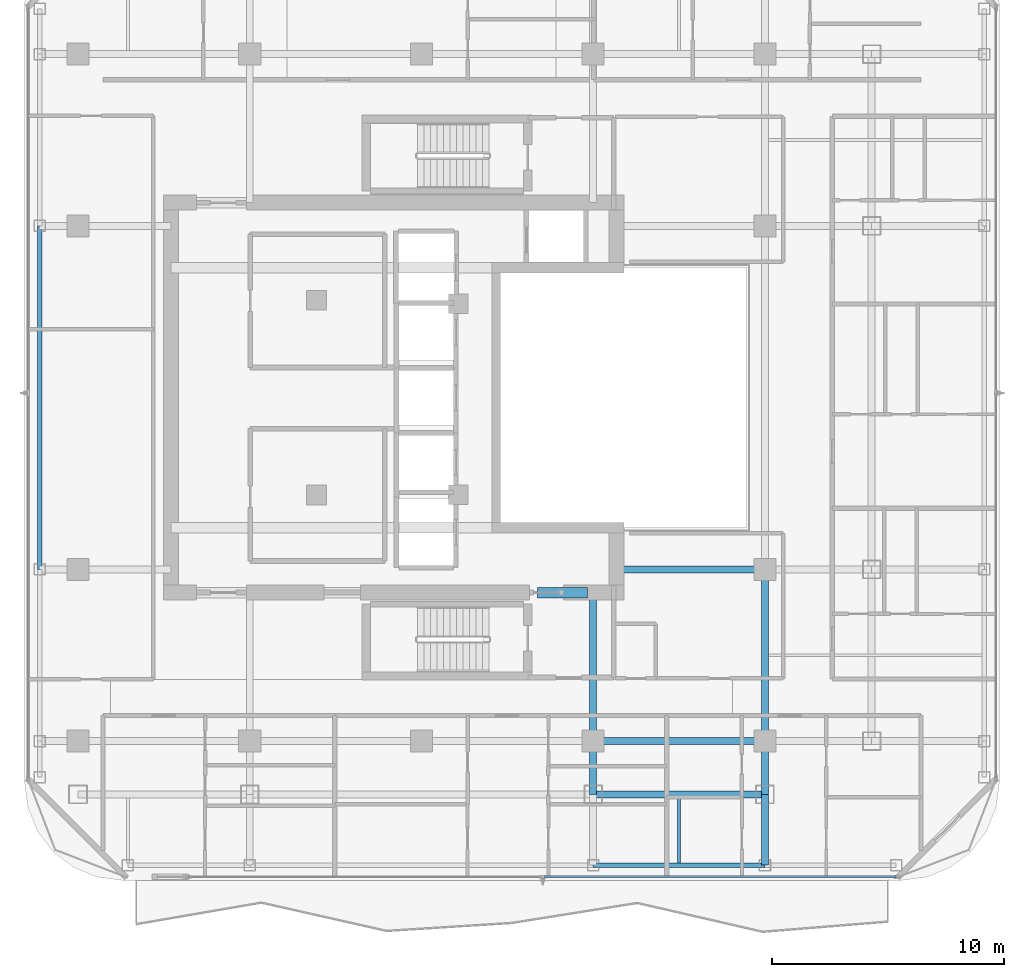
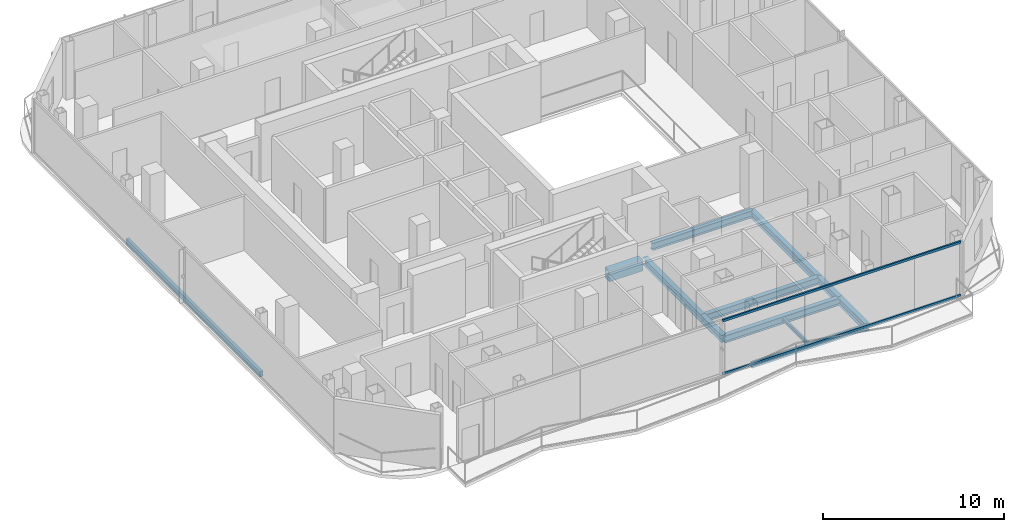
# One storey, part 5 of 26: 12 beams, 2 members, 1 element without a shape of its own.
"""IFC4 building model written with IfcOpenShell, lengths in metres."""

from ifc_helpers import new_model, si_unit, direction, frame, origin, origin_2d, place, context, subcontext, project, spatial, rectangle, hollow_rectangle, i_section, extrude, material, layer, layer_set, material_profile, profile_set, type_object, element, aggregate, save


model = new_model("IFC4")

# Units and contexts
model_context = context("Model", 3, precision=1e-05, world=origin(), true_north=direction((0.0, 1.0)))
body_context = subcontext(model_context, "Body", "Model", "MODEL_VIEW")
ifc_project = project(units=[si_unit("LENGTHUNIT", "METRE"), si_unit("AREAUNIT", "SQUARE_METRE"), si_unit("VOLUMEUNIT", "CUBIC_METRE"), si_unit("PLANEANGLEUNIT", "RADIAN"), si_unit("MASSUNIT", "GRAM", prefix="KILO")], contexts=[model_context])

# Site, building, storey
site_placement = place(None, origin())
site = spatial("IfcSite", under=ifc_project, at=site_placement, CompositionType="ELEMENT")
building_placement = place(site_placement, origin())
building = spatial("IfcBuilding", under=site, at=building_placement, Name="Khorvyn Point Tower", CompositionType="ELEMENT")
storey_placement = place(building_placement, frame((0.0, 0.0, 262.5)))
storey = spatial("IfcBuildingStorey", under=building, at=storey_placement, Name="L64", CompositionType="ELEMENT", Elevation=262.5)

# Curtain wall, members
ifc_material_1 = material(Name="Anodised aluminium 6063-T6 and laminated Low-E glass", Category="aluminium")
ifc_layer = layer(ifc_material_1, 0.18994140625)
ifc_layer_set = layer_set([ifc_layer], Name="Stick-Built High-Wind Curtain Wall CW-SYS-04")
curtain_wall_type = type_object("IfcCurtainWallType", Name="Stick-Built High-Wind Curtain Wall CW-SYS-04", PredefinedType="NOTDEFINED", material=ifc_layer_set)
curtain_wall_placement = place(storey_placement, origin())
curtain_wall = element("IfcCurtainWall", 1, at=curtain_wall_placement, inside=storey, type_object=curtain_wall_type, Name="Curtain Wall", PredefinedType="NOTDEFINED")
ifc_material_2 = material(Name="Anodised aluminium 6063-T6", Category="aluminium")
ifc_material_profile_1 = material_profile(ifc_material_2, hollow_rectangle(XDim=0.10009765625, YDim=0.159912109375, WallThickness=0.00439453125, at=origin_2d()))
ifc_profile_set_1 = profile_set([ifc_material_profile_1], Name="Anodised aluminium 6063-T6 ALU-TRN-100x160")
member_type = type_object("IfcMemberType", Name="Anodised Aluminium 6063-T6 Transom ALU-TRN-100x160", PredefinedType="USERDEFINED", material=ifc_profile_set_1)
member_1_placement = place(storey_placement, frame((20.449951171875, -20.64990234375, 0.050048828125), z_axis=(-1.0, 0.0, 0.0), x_axis=(0.0, -1.0, 0.0)))
member_1 = element("IfcMember", 2, at=member_1_placement, type_object=member_type, Name="Transom", ObjectType="TRANSOM", PredefinedType="USERDEFINED", context=body_context, shape_type="SweptSolid", body=[
    extrude(hollow_rectangle(XDim=0.10009765625, YDim=0.159912109375, WallThickness=0.00439453125, at=origin_2d()), origin(), (0.0, 0.0, 1.0), 15.179443359375),
])
member_2_placement = place(storey_placement, frame((20.449951171875, -20.64990234375, 3.6298828125), z_axis=(-1.0, 0.0, 0.0), x_axis=(0.0, -1.0, 0.0)))
member_2 = element("IfcMember", 3, at=member_2_placement, type_object=member_type, Name="Transom", ObjectType="TRANSOM", PredefinedType="USERDEFINED", context=body_context, shape_type="SweptSolid", body=[
    extrude(hollow_rectangle(XDim=0.10009765625, YDim=0.159912109375, WallThickness=0.00439453125, at=origin_2d()), origin(), (0.0, 0.0, 1.0), 15.179443359375),
])
aggregate(curtain_wall, [member_1, member_2])

# Beams
ifc_material_3 = material(Name="Concrete C40/50", Category="concrete")
ifc_material_profile_2 = material_profile(ifc_material_3, rectangle(XDim=0.449951171875, YDim=0.75, at=origin_2d()))
ifc_profile_set_2 = profile_set([ifc_material_profile_2], Name="Concrete C40/50 RC450x750")
beam_type_1 = type_object("IfcBeamType", Name="Concrete C40/50 Beam RC450x750", PredefinedType="BEAM", material=ifc_profile_set_2)
beam_1_placement = place(storey_placement, frame((5.0, -8.39990234375, -0.594970703125), z_axis=(1.0, 0.0, 0.0), x_axis=(0.0, 1.0, 0.0)))
element("IfcBeam", 4, at=beam_1_placement, inside=storey, type_object=beam_type_1, Name="L64 Core Southeast Portal Coupling Beam", PredefinedType="BEAM", context=body_context, shape_type="SweptSolid", body=[
    extrude(rectangle(XDim=0.449951171875, YDim=0.75, at=origin_2d()), origin(), (0.0, 0.0, 1.0), 2.14990234375),
])
ifc_material_4 = material(Name="Steel S355", Category="steel")
ifc_material_profile_3 = material_profile(ifc_material_4, i_section(OverallWidth=0.125, OverallDepth=0.25, WebThickness=0.006103515625, FlangeThickness=0.009033203125, at=origin_2d()))
ifc_profile_set_3 = profile_set([ifc_material_profile_3], Name="Steel S355 H250x125x6x9")
beam_type_2 = type_object("IfcBeamType", Name="Steel S355 Joist H250x125x6x9", PredefinedType="JOIST", material=ifc_profile_set_3)
beam_2_placement = place(storey_placement, frame((11.10009765625, -20.050048828125, -0.344970703125), z_axis=(0.0, 1.0, 0.0), x_axis=(-1.0, 0.0, 0.0)))
element("IfcBeam", 5, at=beam_2_placement, inside=storey, type_object=beam_type_2, Name="Beam", PredefinedType="JOIST", context=body_context, shape_type="SweptSolid", body=[
    extrude(i_section(OverallWidth=0.125, OverallDepth=0.25, WebThickness=0.006103515625, FlangeThickness=0.009033203125, at=origin_2d()), origin(), (0.0, 0.0, 1.0), 2.800048828125),
])
ifc_material_profile_4 = material_profile(ifc_material_4, i_section(OverallWidth=0.300048828125, OverallDepth=0.488037109375, WebThickness=0.010986328125, FlangeThickness=0.01806640625, at=origin_2d()))
ifc_profile_set_4 = profile_set([ifc_material_profile_4], Name="Steel S355 H488x300x11x18")
beam_type_3 = type_object("IfcBeamType", Name="Steel S355 Spandrel H488x300x11x18", PredefinedType="SPANDREL", material=ifc_profile_set_4)
beam_3_placement = place(storey_placement, frame((7.39990234375, -14.800048828125, -0.464111328125), z_axis=(1.0, 0.0, 0.0), x_axis=(0.0, 1.0, 0.0)))
element("IfcBeam", 6, at=beam_3_placement, inside=storey, type_object=beam_type_3, Name="Beam", PredefinedType="SPANDREL", context=body_context, shape_type="SweptSolid", body=[
    extrude(i_section(OverallWidth=0.300048828125, OverallDepth=0.488037109375, WebThickness=0.010986328125, FlangeThickness=0.01806640625, at=origin_2d()), origin(), (0.0, 0.0, 1.0), 7.400146484375),
])
beam_4_placement = place(storey_placement, frame((8.39990234375, -7.39990234375, -0.464111328125), z_axis=(1.0, 0.0, 0.0), x_axis=(0.0, 1.0, 0.0)))
element("IfcBeam", 7, at=beam_4_placement, inside=storey, type_object=beam_type_3, Name="Beam", PredefinedType="SPANDREL", context=body_context, shape_type="SweptSolid", body=[
    extrude(i_section(OverallWidth=0.300048828125, OverallDepth=0.488037109375, WebThickness=0.010986328125, FlangeThickness=0.01806640625, at=origin_2d()), origin(), (0.0, 0.0, 1.0), 6.400146484375),
])
beam_5_placement = place(storey_placement, frame((7.39990234375, -17.10009765625, -0.464111328125), z_axis=(1.0, 0.0, 0.0), x_axis=(0.0, 1.0, 0.0)))
element("IfcBeam", 8, at=beam_5_placement, inside=storey, type_object=beam_type_3, Name="Beam", PredefinedType="SPANDREL", context=body_context, shape_type="SweptSolid", body=[
    extrude(i_section(OverallWidth=0.300048828125, OverallDepth=0.488037109375, WebThickness=0.010986328125, FlangeThickness=0.01806640625, at=origin_2d()), origin(), (0.0, 0.0, 1.0), 7.400146484375),
])
beam_6_placement = place(storey_placement, frame((14.800048828125, -20.14990234375, -0.464111328125), z_axis=(0.0, 1.0, 0.0), x_axis=(-1.0, 0.0, 0.0)))
element("IfcBeam", 9, at=beam_6_placement, inside=storey, type_object=beam_type_3, Name="Beam", PredefinedType="SPANDREL", context=body_context, shape_type="SweptSolid", body=[
    extrude(i_section(OverallWidth=0.300048828125, OverallDepth=0.488037109375, WebThickness=0.010986328125, FlangeThickness=0.01806640625, at=origin_2d()), origin(), (0.0, 0.0, 1.0), 3.0498046875),
])
beam_7_placement = place(storey_placement, frame((14.800048828125, -17.10009765625, -0.464111328125), z_axis=(0.0, 1.0, 0.0), x_axis=(-1.0, 0.0, 0.0)))
element("IfcBeam", 10, at=beam_7_placement, inside=storey, type_object=beam_type_3, Name="Beam", PredefinedType="SPANDREL", context=body_context, shape_type="SweptSolid", body=[
    extrude(i_section(OverallWidth=0.300048828125, OverallDepth=0.488037109375, WebThickness=0.010986328125, FlangeThickness=0.01806640625, at=origin_2d()), origin(), (0.0, 0.0, 1.0), 2.300048828125),
])
beam_8_placement = place(storey_placement, frame((14.800048828125, -14.800048828125, -0.464111328125), z_axis=(0.0, 1.0, 0.0), x_axis=(-1.0, 0.0, 0.0)))
element("IfcBeam", 11, at=beam_8_placement, inside=storey, type_object=beam_type_3, Name="Beam", PredefinedType="SPANDREL", context=body_context, shape_type="SweptSolid", body=[
    extrude(i_section(OverallWidth=0.300048828125, OverallDepth=0.488037109375, WebThickness=0.010986328125, FlangeThickness=0.01806640625, at=origin_2d()), origin(), (0.0, 0.0, 1.0), 7.400146484375),
])
beam_9_placement = place(storey_placement, frame((7.39990234375, -17.10009765625, -0.464111328125), z_axis=(0.0, 1.0, 0.0), x_axis=(-1.0, 0.0, 0.0)))
element("IfcBeam", 12, at=beam_9_placement, inside=storey, type_object=beam_type_3, Name="Beam", PredefinedType="SPANDREL", context=body_context, shape_type="SweptSolid", body=[
    extrude(i_section(OverallWidth=0.300048828125, OverallDepth=0.488037109375, WebThickness=0.010986328125, FlangeThickness=0.01806640625, at=origin_2d()), origin(), (0.0, 0.0, 1.0), 2.300048828125),
])
beam_10_placement = place(storey_placement, frame((7.39990234375, -14.800048828125, -0.464111328125), z_axis=(0.0, 1.0, 0.0), x_axis=(-1.0, 0.0, 0.0)))
element("IfcBeam", 13, at=beam_10_placement, inside=storey, type_object=beam_type_3, Name="Beam", PredefinedType="SPANDREL", context=body_context, shape_type="SweptSolid", body=[
    extrude(i_section(OverallWidth=0.300048828125, OverallDepth=0.488037109375, WebThickness=0.010986328125, FlangeThickness=0.01806640625, at=origin_2d()), origin(), (0.0, 0.0, 1.0), 6.400146484375),
])
ifc_material_profile_5 = material_profile(ifc_material_4, hollow_rectangle(XDim=0.199951171875, YDim=0.35009765625, WallThickness=0.013916015625, at=origin_2d()))
ifc_profile_set_5 = profile_set([ifc_material_profile_5], Name="Steel S355 RHS350x200x14")
beam_type_4 = type_object("IfcBeamType", Name="Steel S355 Spandrel RHS350x200x14", PredefinedType="SPANDREL", material=ifc_profile_set_5)
beam_11_placement = place(storey_placement, frame((7.39990234375, -20.14990234375, -0.39501953125), z_axis=(1.0, 0.0, 0.0), x_axis=(0.0, 1.0, 0.0)))
element("IfcBeam", 14, at=beam_11_placement, inside=storey, type_object=beam_type_4, Name="Beam", PredefinedType="SPANDREL", context=body_context, shape_type="SweptSolid", body=[
    extrude(hollow_rectangle(XDim=0.199951171875, YDim=0.35009765625, WallThickness=0.013916015625, at=origin_2d()), origin(), (0.0, 0.0, 1.0), 7.400146484375),
])
beam_12_placement = place(storey_placement, frame((-16.449951171875, -7.39990234375, -0.39501953125), z_axis=(0.0, 1.0, 0.0), x_axis=(-1.0, 0.0, 0.0)))
element("IfcBeam", 15, at=beam_12_placement, inside=storey, type_object=beam_type_4, Name="Beam", PredefinedType="SPANDREL", context=body_context, shape_type="SweptSolid", body=[
    extrude(hollow_rectangle(XDim=0.199951171875, YDim=0.35009765625, WallThickness=0.013916015625, at=origin_2d()), origin(), (0.0, 0.0, 1.0), 14.7998046875),
])

save(model, "model.ifc")
